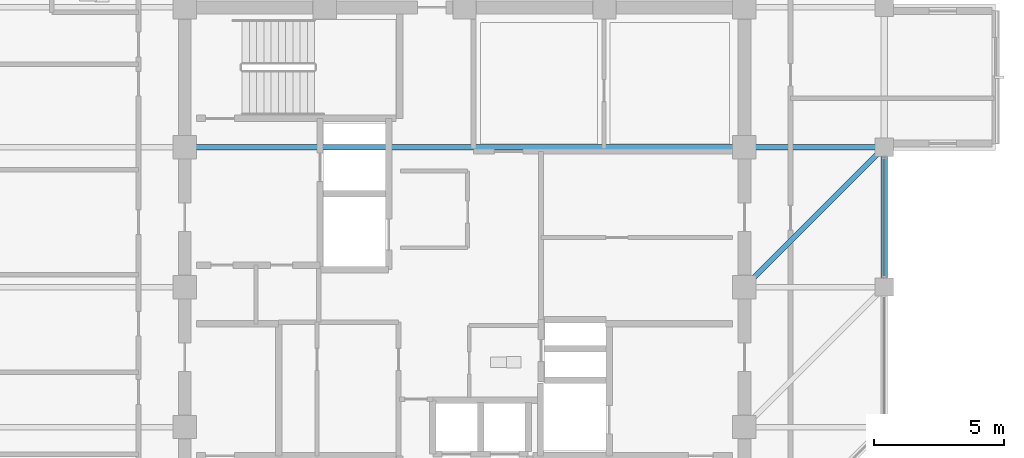
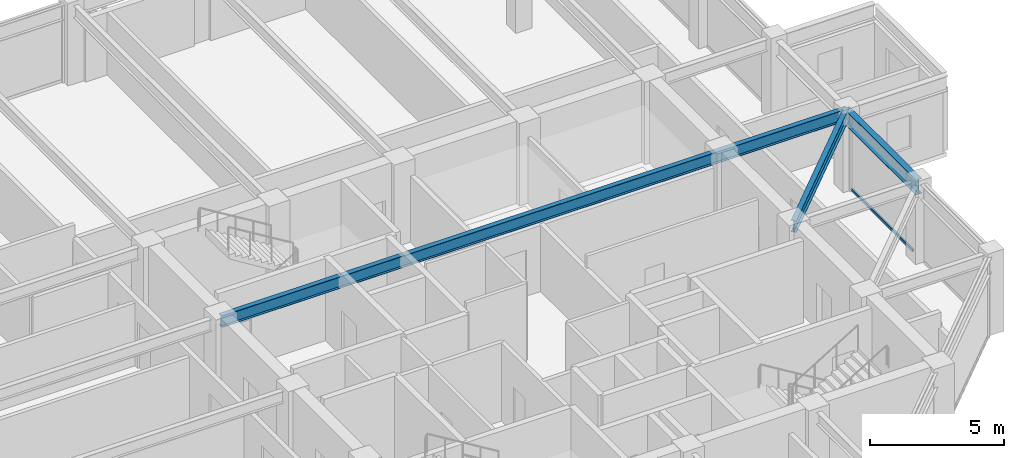
# One storey, part 11 of 31: 3 beams, 1 member, 1 element without a shape of its own.
"""IFC4 building model written with IfcOpenShell, lengths in metres."""

import ifcopenshell
import ifcopenshell.guid

model = None  # the IFC model being written
_history = None  # IfcOwnerHistory: only IFC2X3 demands one
_inside = {}  # id of a spatial element -> (the spatial element, [elements in it])
_under = {}  # id of a project, library or spatial element -> (it, [spatial elements below it])
_declared = {}  # id of a project -> (the project, [libraries it declares])
_typed = {}  # id of a type object -> (the type object, [elements of that type])
_made_of = {}  # id of a material, layer set ... -> (it, [elements and type objects made of it])


def new_model(schema):
    """Start an empty IFC model of exactly this schema.

    Asked for "IFC4X3", IfcOpenShell would pick the latest addendum, in which some entities
    have other attributes; the version numbers below select the first issue.
    IFC2X3 requires an IfcOwnerHistory on every rooted entity: one is made here for all.
    """
    global model, _history
    if schema == "IFC4X3":
        model = ifcopenshell.file(schema_version=(4, 3, 0, 0))
    else:
        model = ifcopenshell.file(schema=schema)
    _inside.clear()
    _under.clear()
    _declared.clear()
    _typed.clear()
    _made_of.clear()
    _history = None
    if model.schema == "IFC2X3":
        org = make("IfcOrganization", Name="unknown")
        user = make(
            "IfcPersonAndOrganization",
            ThePerson=make("IfcPerson", FamilyName="unknown"),
            TheOrganization=org,
        )
        app = make(
            "IfcApplication",
            ApplicationDeveloper=org,
            Version="unknown",
            ApplicationFullName="unknown",
            ApplicationIdentifier="unknown",
        )
        _history = make(
            "IfcOwnerHistory",
            OwningUser=user,
            OwningApplication=app,
            ChangeAction="ADDED",
            CreationDate=0,
        )
    return model


def make(cls, **values):
    """One entity of the class cls with the attributes given. An attribute that is None is left unset."""
    return model.create_entity(
        cls, **{name: value for name, value in values.items() if value is not None}
    )


def rooted(cls, **values):
    """An entity with a GlobalId (a new one), such as an element, a storey or a relation."""
    return make(cls, GlobalId=ifcopenshell.guid.new(), OwnerHistory=_history, **values)


def si_unit(unit_type, name, prefix=None):
    """IfcSIUnit, for example si_unit("LENGTHUNIT", "METRE", prefix="MILLI")."""
    return make("IfcSIUnit", UnitType=unit_type, Prefix=prefix, Name=name)


def assignment(units):
    """IfcUnitAssignment: the units of a project."""
    return None if units is None else make("IfcUnitAssignment", Units=units)


def point(xyz):
    """IfcCartesianPoint."""
    return None if xyz is None else make("IfcCartesianPoint", Coordinates=xyz)


def direction(xyz):
    """IfcDirection."""
    return None if xyz is None else make("IfcDirection", DirectionRatios=xyz)


def frame(location, z_axis=None, x_axis=None):
    """IfcAxis2Placement3D, a coordinate frame: its origin and axes. An axis left out is left unset."""
    return make(
        "IfcAxis2Placement3D",
        Location=point(location),
        Axis=direction(z_axis),
        RefDirection=direction(x_axis),
    )


def frame_2d(location, x_axis=None):
    """IfcAxis2Placement2D, a coordinate frame in the plane: its origin and x axis."""
    return make(
        "IfcAxis2Placement2D", Location=point(location), RefDirection=direction(x_axis)
    )


def origin():
    """The frame at (0, 0, 0) with its axes left unset."""
    return frame((0.0, 0.0, 0.0))


def origin_2d():
    """The frame at (0, 0) in the plane with its x axis left unset."""
    return frame_2d((0.0, 0.0))


def place(relative_to, where):
    """IfcLocalPlacement: puts the frame where relative to a parent placement (None: the world)."""
    return make(
        "IfcLocalPlacement", PlacementRelTo=relative_to, RelativePlacement=where
    )


def context(
    kind, dimensions, precision=None, world=None, true_north=None, identifier=None
):
    """IfcGeometricRepresentationContext, for example the 3D "Model" context."""
    return make(
        "IfcGeometricRepresentationContext",
        ContextIdentifier=identifier,
        ContextType=kind,
        CoordinateSpaceDimension=dimensions,
        Precision=precision,
        WorldCoordinateSystem=world,
        TrueNorth=true_north,
    )


def subcontext(parent, identifier, kind, view, scale=None):
    """IfcGeometricRepresentationSubContext, for example "Body" below "Model"."""
    return make(
        "IfcGeometricRepresentationSubContext",
        ContextIdentifier=identifier,
        ContextType=kind,
        ParentContext=parent,
        TargetScale=scale,
        TargetView=view,
    )


def project(units=None, contexts=None):
    """IfcProject with its units and contexts."""
    return rooted(
        "IfcProject",
        Name="project",
        RepresentationContexts=contexts,
        UnitsInContext=assignment(units),
    )


def spatial(cls, under=None, at=None, **own):
    """A site, building, storey or space (cls), placed at a placement, below another one or the project."""
    s = rooted(cls, ObjectPlacement=at, **own)
    if under is not None:
        _under.setdefault(under.id(), (under, []))[1].append(s)
    return s


def profile(cls, at=None, kind="AREA", **sizes):
    """A parametric profile (cls). Its sizes go by their IFC names, for example OverallWidth=200.0."""
    return make(cls, ProfileType=kind, Position=at, **sizes)


def hollow_rectangle(**sizes):
    """IfcRectangleHollowProfileDef."""
    return profile("IfcRectangleHollowProfileDef", **sizes)


def i_section(**sizes):
    """IfcIShapeProfileDef."""
    return profile("IfcIShapeProfileDef", **sizes)


def extrude(swept, where, along, depth):
    """IfcExtrudedAreaSolid: the profile swept, set in the frame where, extruded along a direction by depth."""
    return make(
        "IfcExtrudedAreaSolid",
        SweptArea=swept,
        Position=where,
        ExtrudedDirection=direction(along),
        Depth=depth,
    )


def shape(context_of_items, identifier, shape_type, items):
    """IfcShapeRepresentation: the items that make up one representation, for example the "Body"."""
    return make(
        "IfcShapeRepresentation",
        ContextOfItems=context_of_items,
        RepresentationIdentifier=identifier,
        RepresentationType=shape_type,
        Items=items,
    )


def material(Name=None, Category=None):
    """IfcMaterial."""
    return make("IfcMaterial", Name=Name, Category=Category)


def layer(
    of_material, thickness, ventilated=None, Name=None, Category=None, Priority=None
):
    """IfcMaterialLayer: one layer of a wall or slab, of a material (None: an air gap)."""
    return make(
        "IfcMaterialLayer",
        Material=of_material,
        LayerThickness=thickness,
        IsVentilated=ventilated,
        Name=Name,
        Category=Category,
        Priority=Priority,
    )


def layer_set(layers, Name=None):
    """IfcMaterialLayerSet."""
    return make("IfcMaterialLayerSet", MaterialLayers=layers, LayerSetName=Name)


def material_profile(
    of_material, cross_section, Name=None, Category=None, Priority=None
):
    """IfcMaterialProfile: a cross section and its material."""
    return make(
        "IfcMaterialProfile",
        Name=Name,
        Material=of_material,
        Profile=cross_section,
        Priority=Priority,
        Category=Category,
    )


def profile_set(profiles, Name=None, composite=None):
    """IfcMaterialProfileSet."""
    return make(
        "IfcMaterialProfileSet",
        Name=Name,
        MaterialProfiles=profiles,
        CompositeProfile=composite,
    )


def made_of(thing, what):
    """Note that an element or type object is made of a material, layer set ...; save() writes the relation."""
    if what is not None:
        _made_of.setdefault(what.id(), (what, []))[1].append(thing)
    return thing


def type_object(cls, material=None, **own):
    """A type object (cls), such as IfcWallType, which elements share."""
    return made_of(rooted(cls, **own), material)


def element(
    cls,
    number,
    at=None,
    inside=None,
    cuts=None,
    type_object=None,
    material=None,
    context=None,
    identifier="Body",
    shape_type=None,
    held_by="IfcProductDefinitionShape",
    body=None,
    shapes=None,
    **own,
):
    """One element of the class cls, such as IfcWall. Its Tag is "e" and its number.

    at: its placement. inside: the storey or other place that contains it. cuts: it is an
    opening in that element (IfcRelVoidsElement). A single representation is given by context,
    identifier, shape_type and body (its items); several are given by shapes. held_by: the class
    of the entity that holds the representations. save() writes the other relations.
    """
    e = rooted(cls, Tag="e%d" % number, ObjectPlacement=at, **own)
    if body is not None:
        shapes = [shape(context, identifier, shape_type, body)]
    if shapes is not None:
        e.Representation = make(held_by, Representations=shapes)
    if inside is not None:
        _inside.setdefault(inside.id(), (inside, []))[1].append(e)
    if cuts is not None:
        rooted(
            "IfcRelVoidsElement", RelatingBuildingElement=cuts, RelatedOpeningElement=e
        )
    if type_object is not None:
        _typed.setdefault(type_object.id(), (type_object, []))[1].append(e)
    return made_of(e, material)


def aggregate(whole, parts):
    """IfcRelAggregates: a whole, such as a stair, and the parts it consists of."""
    return rooted("IfcRelAggregates", RelatingObject=whole, RelatedObjects=parts)


def save(model, path):
    """Write the relations noted so far, then the file.

    IfcRelAggregates (storeys below a building ...), IfcRelContainedInSpatialStructure (elements
    in a storey), IfcRelDefinesByType, IfcRelAssociatesMaterial and IfcRelDeclares: one each for
    every whole, place, type object, material and project.
    """
    for whole, parts in _under.values():
        aggregate(whole, parts)
    for where, things in _inside.values():
        rooted(
            "IfcRelContainedInSpatialStructure",
            RelatedElements=things,
            RelatingStructure=where,
        )
    for kind, things in _typed.values():
        rooted("IfcRelDefinesByType", RelatedObjects=things, RelatingType=kind)
    for what, things in _made_of.values():
        rooted("IfcRelAssociatesMaterial", RelatedObjects=things, RelatingMaterial=what)
    for by, libraries in _declared.values():
        rooted("IfcRelDeclares", RelatingContext=by, RelatedDefinitions=libraries)
    model.write(path)


model = new_model("IFC4")

# Units and contexts
model_context = context("Model", 3, precision=1e-05, world=origin(), true_north=direction((0.0, 1.0)))
body_context = subcontext(model_context, "Body", "Model", "MODEL_VIEW")
ifc_project = project(units=[si_unit("LENGTHUNIT", "METRE"), si_unit("AREAUNIT", "SQUARE_METRE"), si_unit("VOLUMEUNIT", "CUBIC_METRE"), si_unit("PLANEANGLEUNIT", "RADIAN"), si_unit("MASSUNIT", "GRAM", prefix="KILO")], contexts=[model_context])

# Site, building, storey
site_placement = place(None, origin())
site = spatial("IfcSite", under=ifc_project, at=site_placement, CompositionType="ELEMENT")
building_placement = place(site_placement, origin())
building = spatial("IfcBuilding", under=site, at=building_placement, Name="Surkhivell Harbour Commons", CompositionType="ELEMENT")
storey_placement = place(building_placement, frame((0.0, 0.0, 266.25)))
storey = spatial("IfcBuildingStorey", under=building, at=storey_placement, Name="L69", CompositionType="ELEMENT", Elevation=266.25)

# Beams
ifc_material_1 = material(Name="Steel S355", Category="steel")
ifc_material_profile_1 = material_profile(ifc_material_1, i_section(OverallWidth=0.2099609375, OverallDepth=0.537109375, WebThickness=0.0107421875, FlangeThickness=0.017333984375, at=origin_2d()), Name="UB533x210x101")
ifc_profile_set_1 = profile_set([ifc_material_profile_1], Name="Steel S355")
beam_type_1 = type_object("IfcBeamType", Name="BM-GRD-533B", PredefinedType="BEAM", material=ifc_profile_set_1)
beam_1_placement = place(storey_placement, frame((-10.800048828125, 5.39990234375, 3.301513671875), z_axis=(1.0, 0.0, 0.0), x_axis=(0.0, 1.0, 0.0)))
element("IfcBeam", 1, at=beam_1_placement, inside=storey, type_object=beam_type_1, Name="L69 Cantilever Back-Span Girder (-10.8,5.4)", PredefinedType="BEAM", context=body_context, shape_type="SweptSolid", body=[
    extrude(i_section(OverallWidth=0.2099609375, OverallDepth=0.537109375, WebThickness=0.0107421875, FlangeThickness=0.017333984375, at=origin_2d()), origin(), (0.0, 0.0, 1.0), 27.0),
])
beam_2_placement = place(storey_placement, frame((10.800048828125, 0.0, 3.301513671875), z_axis=(0.707106781187, 0.707106781187, 0.0), x_axis=(-0.707106781187, 0.707106781187, 0.0)))
element("IfcBeam", 2, at=beam_2_placement, inside=storey, type_object=beam_type_1, Name="L69 Floor Girder (10.8,0.0)", PredefinedType="BEAM", context=body_context, shape_type="SweptSolid", body=[
    extrude(i_section(OverallWidth=0.2099609375, OverallDepth=0.537109375, WebThickness=0.0107421875, FlangeThickness=0.017333984375, at=origin_2d()), origin(), (0.0, 0.0, 1.0), 7.63671875),
])
ifc_material_profile_2 = material_profile(ifc_material_1, i_section(OverallWidth=0.256103515625, OverallDepth=0.693115234375, WebThickness=0.014404296875, FlangeThickness=0.023681640625, at=origin_2d()), Name="UB686x254x170")
ifc_profile_set_2 = profile_set([ifc_material_profile_2], Name="Steel S355")
beam_type_2 = type_object("IfcBeamType", Name="BM-SPN-686", PredefinedType="SPANDREL", material=ifc_profile_set_2)
beam_3_placement = place(storey_placement, frame((16.199951171875, 0.0, 3.223388671875), z_axis=(0.0, 1.0, 0.0), x_axis=(-1.0, 0.0, 0.0)))
element("IfcBeam", 3, at=beam_3_placement, inside=storey, type_object=beam_type_2, Name="L69 Tube Spandrel (16.2,0.0)", PredefinedType="SPANDREL", context=body_context, shape_type="SweptSolid", body=[
    extrude(i_section(OverallWidth=0.256103515625, OverallDepth=0.693115234375, WebThickness=0.014404296875, FlangeThickness=0.023681640625, at=origin_2d()), origin(), (0.0, 0.0, 1.0), 5.39990234375),
])

# Curtain wall, member
ifc_material_2 = material(Name="Anodised pale-metal aluminium and insulated glazing", Category="aluminium")
ifc_layer = layer(ifc_material_2, 0.175048828125)
ifc_layer_set = layer_set([ifc_layer], Name="Anodised pale-metal aluminium and insulated glazing")
curtain_wall_type = type_object("IfcCurtainWallType", Name="CW-SYS-Z4", PredefinedType="NOTDEFINED", material=ifc_layer_set)
curtain_wall_placement = place(storey_placement, origin())
curtain_wall = element("IfcCurtainWall", 4, at=curtain_wall_placement, inside=storey, type_object=curtain_wall_type, Name="L69 Curtain Wall CW-L69-E02R1", PredefinedType="NOTDEFINED")
ifc_material_3 = material(Name="Champagne anodised aluminium alloy 6063-T6", Category="aluminium")
ifc_material_profile_3 = material_profile(ifc_material_3, hollow_rectangle(XDim=0.070068359375, YDim=0.1298828125, WallThickness=0.00341796875, at=origin_2d()), Name="ALU-TRAN-70x130")
ifc_profile_set_3 = profile_set([ifc_material_profile_3], Name="Champagne anodised aluminium alloy 6063-T6")
member_type = type_object("IfcMemberType", Name="CWT-130", PredefinedType="USERDEFINED", material=ifc_profile_set_3)
member_placement = place(storey_placement, frame((16.199951171875, 0.427001953125, 0.06494140625), z_axis=(0.0, 1.0, 0.0), x_axis=(-1.0, 0.0, 0.0)))
member = element("IfcMember", 5, at=member_placement, type_object=member_type, Name="CW-Z4 transom 2.1", ObjectType="TRANSOM", PredefinedType="USERDEFINED", context=body_context, shape_type="SweptSolid", body=[
    extrude(hollow_rectangle(XDim=0.070068359375, YDim=0.1298828125, WallThickness=0.00341796875, at=origin_2d()), origin(), (0.0, 0.0, 1.0), 4.5458984375),
])
aggregate(curtain_wall, [member])

save(model, "model.ifc")
